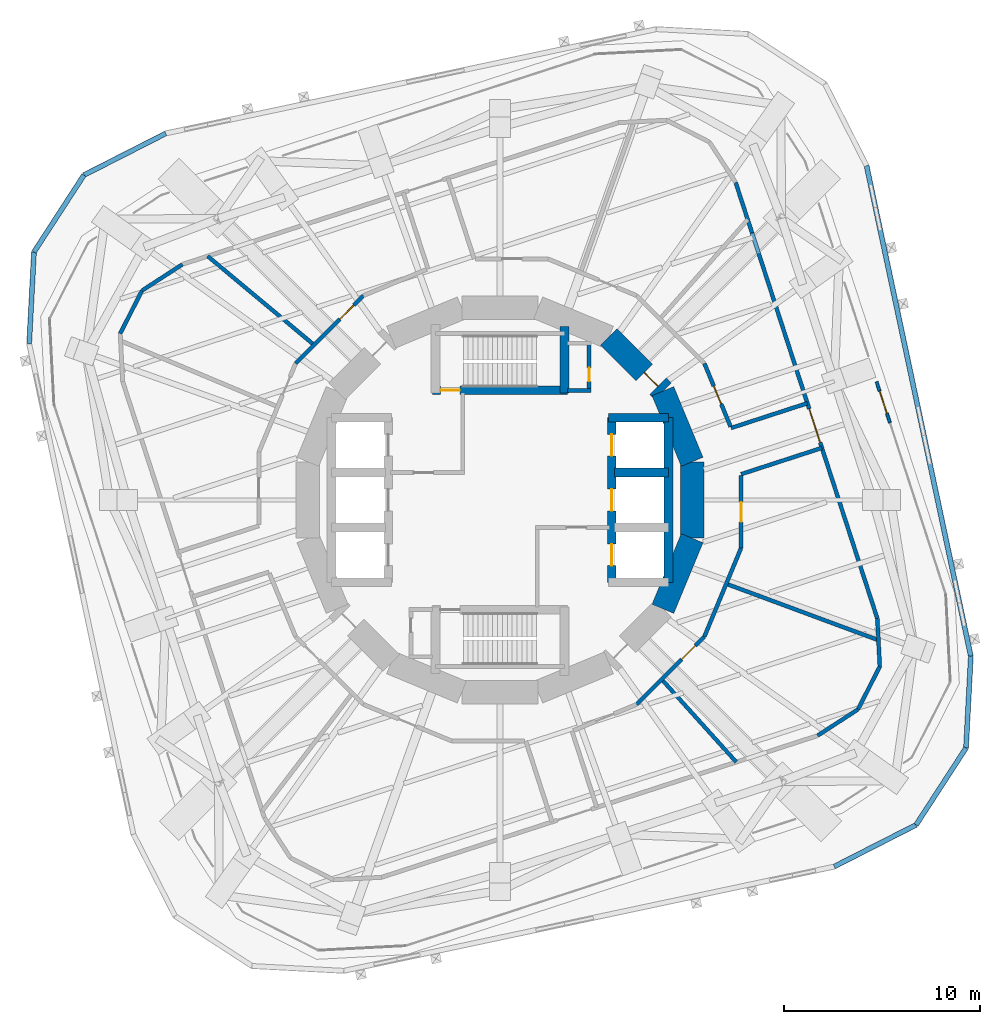
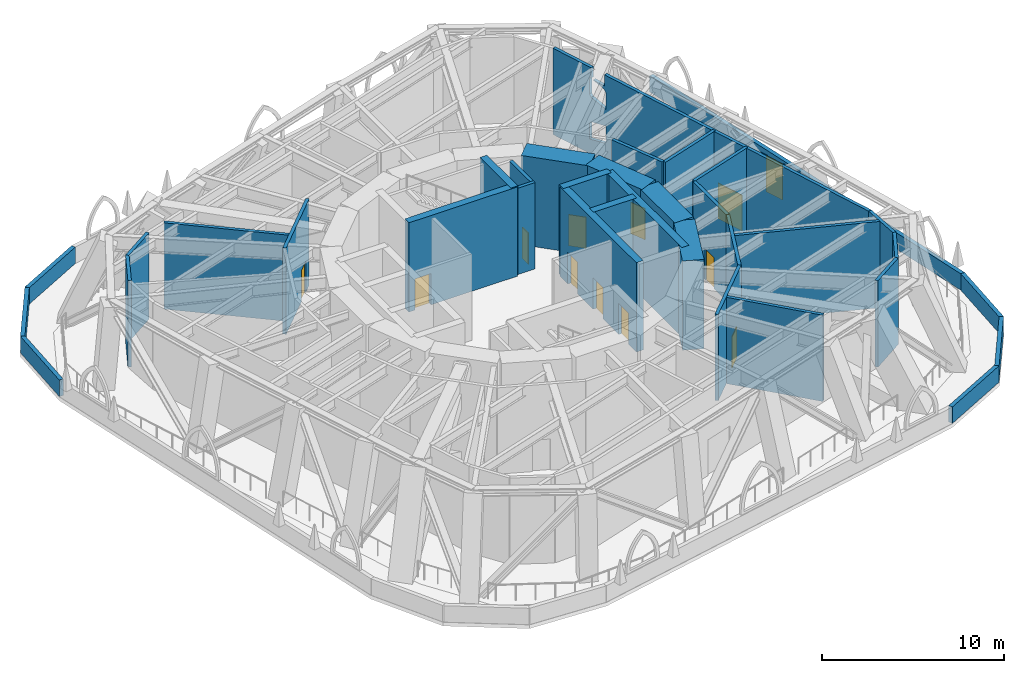
# One storey, part 6 of 11: 36 walls, 12 doors, 15 openings.
"""IFC4 building model written with IfcOpenShell, lengths in metres."""

import ifcopenshell
import ifcopenshell.guid

model = None  # the IFC model being written
_history = None  # IfcOwnerHistory: only IFC2X3 demands one
_inside = {}  # id of a spatial element -> (the spatial element, [elements in it])
_under = {}  # id of a project, library or spatial element -> (it, [spatial elements below it])
_declared = {}  # id of a project -> (the project, [libraries it declares])
_typed = {}  # id of a type object -> (the type object, [elements of that type])
_made_of = {}  # id of a material, layer set ... -> (it, [elements and type objects made of it])


def new_model(schema):
    """Start an empty IFC model of exactly this schema.

    Asked for "IFC4X3", IfcOpenShell would pick the latest addendum, in which some entities
    have other attributes; the version numbers below select the first issue.
    IFC2X3 requires an IfcOwnerHistory on every rooted entity: one is made here for all.
    """
    global model, _history
    if schema == "IFC4X3":
        model = ifcopenshell.file(schema_version=(4, 3, 0, 0))
    else:
        model = ifcopenshell.file(schema=schema)
    _inside.clear()
    _under.clear()
    _declared.clear()
    _typed.clear()
    _made_of.clear()
    _history = None
    if model.schema == "IFC2X3":
        org = make("IfcOrganization", Name="unknown")
        user = make(
            "IfcPersonAndOrganization",
            ThePerson=make("IfcPerson", FamilyName="unknown"),
            TheOrganization=org,
        )
        app = make(
            "IfcApplication",
            ApplicationDeveloper=org,
            Version="unknown",
            ApplicationFullName="unknown",
            ApplicationIdentifier="unknown",
        )
        _history = make(
            "IfcOwnerHistory",
            OwningUser=user,
            OwningApplication=app,
            ChangeAction="ADDED",
            CreationDate=0,
        )
    return model


def make(cls, **values):
    """One entity of the class cls with the attributes given. An attribute that is None is left unset."""
    return model.create_entity(
        cls, **{name: value for name, value in values.items() if value is not None}
    )


def rooted(cls, **values):
    """An entity with a GlobalId (a new one), such as an element, a storey or a relation."""
    return make(cls, GlobalId=ifcopenshell.guid.new(), OwnerHistory=_history, **values)


def si_unit(unit_type, name, prefix=None):
    """IfcSIUnit, for example si_unit("LENGTHUNIT", "METRE", prefix="MILLI")."""
    return make("IfcSIUnit", UnitType=unit_type, Prefix=prefix, Name=name)


def assignment(units):
    """IfcUnitAssignment: the units of a project."""
    return None if units is None else make("IfcUnitAssignment", Units=units)


def point(xyz):
    """IfcCartesianPoint."""
    return None if xyz is None else make("IfcCartesianPoint", Coordinates=xyz)


def direction(xyz):
    """IfcDirection."""
    return None if xyz is None else make("IfcDirection", DirectionRatios=xyz)


def frame(location, z_axis=None, x_axis=None):
    """IfcAxis2Placement3D, a coordinate frame: its origin and axes. An axis left out is left unset."""
    return make(
        "IfcAxis2Placement3D",
        Location=point(location),
        Axis=direction(z_axis),
        RefDirection=direction(x_axis),
    )


def frame_2d(location, x_axis=None):
    """IfcAxis2Placement2D, a coordinate frame in the plane: its origin and x axis."""
    return make(
        "IfcAxis2Placement2D", Location=point(location), RefDirection=direction(x_axis)
    )


def origin():
    """The frame at (0, 0, 0) with its axes left unset."""
    return frame((0.0, 0.0, 0.0))


def place(relative_to, where):
    """IfcLocalPlacement: puts the frame where relative to a parent placement (None: the world)."""
    return make(
        "IfcLocalPlacement", PlacementRelTo=relative_to, RelativePlacement=where
    )


def context(
    kind, dimensions, precision=None, world=None, true_north=None, identifier=None
):
    """IfcGeometricRepresentationContext, for example the 3D "Model" context."""
    return make(
        "IfcGeometricRepresentationContext",
        ContextIdentifier=identifier,
        ContextType=kind,
        CoordinateSpaceDimension=dimensions,
        Precision=precision,
        WorldCoordinateSystem=world,
        TrueNorth=true_north,
    )


def subcontext(parent, identifier, kind, view, scale=None):
    """IfcGeometricRepresentationSubContext, for example "Body" below "Model"."""
    return make(
        "IfcGeometricRepresentationSubContext",
        ContextIdentifier=identifier,
        ContextType=kind,
        ParentContext=parent,
        TargetScale=scale,
        TargetView=view,
    )


def project(units=None, contexts=None):
    """IfcProject with its units and contexts."""
    return rooted(
        "IfcProject",
        Name="project",
        RepresentationContexts=contexts,
        UnitsInContext=assignment(units),
    )


def spatial(cls, under=None, at=None, **own):
    """A site, building, storey or space (cls), placed at a placement, below another one or the project."""
    s = rooted(cls, ObjectPlacement=at, **own)
    if under is not None:
        _under.setdefault(under.id(), (under, []))[1].append(s)
    return s


def polyline(points):
    """IfcPolyline through the points."""
    return make("IfcPolyline", Points=[point(p) for p in points])


def profile(cls, at=None, kind="AREA", **sizes):
    """A parametric profile (cls). Its sizes go by their IFC names, for example OverallWidth=200.0."""
    return make(cls, ProfileType=kind, Position=at, **sizes)


def rectangle(**sizes):
    """IfcRectangleProfileDef."""
    return profile("IfcRectangleProfileDef", **sizes)


def outline(outer, holes=None, kind="AREA"):
    """IfcArbitraryClosedProfileDef: a profile drawn as a closed curve; with holes, ...WithVoids."""
    if holes is None:
        return make("IfcArbitraryClosedProfileDef", ProfileType=kind, OuterCurve=outer)
    return make(
        "IfcArbitraryProfileDefWithVoids",
        ProfileType=kind,
        OuterCurve=outer,
        InnerCurves=holes,
    )


def extrude(swept, where, along, depth):
    """IfcExtrudedAreaSolid: the profile swept, set in the frame where, extruded along a direction by depth."""
    return make(
        "IfcExtrudedAreaSolid",
        SweptArea=swept,
        Position=where,
        ExtrudedDirection=direction(along),
        Depth=depth,
    )


def shape(context_of_items, identifier, shape_type, items):
    """IfcShapeRepresentation: the items that make up one representation, for example the "Body"."""
    return make(
        "IfcShapeRepresentation",
        ContextOfItems=context_of_items,
        RepresentationIdentifier=identifier,
        RepresentationType=shape_type,
        Items=items,
    )


def material(Name=None, Category=None):
    """IfcMaterial."""
    return make("IfcMaterial", Name=Name, Category=Category)


def layer(
    of_material, thickness, ventilated=None, Name=None, Category=None, Priority=None
):
    """IfcMaterialLayer: one layer of a wall or slab, of a material (None: an air gap)."""
    return make(
        "IfcMaterialLayer",
        Material=of_material,
        LayerThickness=thickness,
        IsVentilated=ventilated,
        Name=Name,
        Category=Category,
        Priority=Priority,
    )


def layer_set(layers, Name=None):
    """IfcMaterialLayerSet."""
    return make("IfcMaterialLayerSet", MaterialLayers=layers, LayerSetName=Name)


def made_of(thing, what):
    """Note that an element or type object is made of a material, layer set ...; save() writes the relation."""
    if what is not None:
        _made_of.setdefault(what.id(), (what, []))[1].append(thing)
    return thing


def type_object(cls, material=None, **own):
    """A type object (cls), such as IfcWallType, which elements share."""
    return made_of(rooted(cls, **own), material)


def element(
    cls,
    number,
    at=None,
    inside=None,
    cuts=None,
    type_object=None,
    material=None,
    context=None,
    identifier="Body",
    shape_type=None,
    held_by="IfcProductDefinitionShape",
    body=None,
    shapes=None,
    **own,
):
    """One element of the class cls, such as IfcWall. Its Tag is "e" and its number.

    at: its placement. inside: the storey or other place that contains it. cuts: it is an
    opening in that element (IfcRelVoidsElement). A single representation is given by context,
    identifier, shape_type and body (its items); several are given by shapes. held_by: the class
    of the entity that holds the representations. save() writes the other relations.
    """
    e = rooted(cls, Tag="e%d" % number, ObjectPlacement=at, **own)
    if body is not None:
        shapes = [shape(context, identifier, shape_type, body)]
    if shapes is not None:
        e.Representation = make(held_by, Representations=shapes)
    if inside is not None:
        _inside.setdefault(inside.id(), (inside, []))[1].append(e)
    if cuts is not None:
        rooted(
            "IfcRelVoidsElement", RelatingBuildingElement=cuts, RelatedOpeningElement=e
        )
    if type_object is not None:
        _typed.setdefault(type_object.id(), (type_object, []))[1].append(e)
    return made_of(e, material)


def fill(opening, filler):
    """IfcRelFillsElement: the door or window that sits in an opening."""
    return rooted(
        "IfcRelFillsElement",
        RelatingOpeningElement=opening,
        RelatedBuildingElement=filler,
    )


def aggregate(whole, parts):
    """IfcRelAggregates: a whole, such as a stair, and the parts it consists of."""
    return rooted("IfcRelAggregates", RelatingObject=whole, RelatedObjects=parts)


def save(model, path):
    """Write the relations noted so far, then the file.

    IfcRelAggregates (storeys below a building ...), IfcRelContainedInSpatialStructure (elements
    in a storey), IfcRelDefinesByType, IfcRelAssociatesMaterial and IfcRelDeclares: one each for
    every whole, place, type object, material and project.
    """
    for whole, parts in _under.values():
        aggregate(whole, parts)
    for where, things in _inside.values():
        rooted(
            "IfcRelContainedInSpatialStructure",
            RelatedElements=things,
            RelatingStructure=where,
        )
    for kind, things in _typed.values():
        rooted("IfcRelDefinesByType", RelatedObjects=things, RelatingType=kind)
    for what, things in _made_of.values():
        rooted("IfcRelAssociatesMaterial", RelatedObjects=things, RelatingMaterial=what)
    for by, libraries in _declared.values():
        rooted("IfcRelDeclares", RelatingContext=by, RelatedDefinitions=libraries)
    model.write(path)


model = new_model("IFC4")

# Units and contexts
model_context = context("Model", 3, precision=1e-05, world=origin(), true_north=direction((0.0, 1.0)))
body_context = subcontext(model_context, "Body", "Model", "MODEL_VIEW")
ifc_project = project(units=[si_unit("LENGTHUNIT", "METRE"), si_unit("AREAUNIT", "SQUARE_METRE"), si_unit("VOLUMEUNIT", "CUBIC_METRE"), si_unit("PLANEANGLEUNIT", "RADIAN"), si_unit("MASSUNIT", "GRAM", prefix="KILO")], contexts=[model_context])

# Site, building, storey
site_placement = place(None, origin())
site = spatial("IfcSite", under=ifc_project, at=site_placement, CompositionType="ELEMENT")
building_placement = place(site_placement, origin())
building = spatial("IfcBuilding", under=site, at=building_placement, Name="Nakasero Lantern House", CompositionType="ELEMENT")
storey_placement = place(building_placement, frame((0.0, 0.0, 135.800048828125)))
storey = spatial("IfcBuildingStorey", under=building, at=storey_placement, Name="L33", CompositionType="ELEMENT", Elevation=135.800048828125)

# Wall, openings, doors
ifc_material_1 = material(Name="Concrete C50/60", Category="concrete")
ifc_layer_1 = layer(ifc_material_1, 0.449951171875)
ifc_layer_set_1 = layer_set([ifc_layer_1], Name="Core inner wall 450")
wall_type_1 = type_object("IfcWallType", Name="Core inner wall 450", PredefinedType="SHEAR", material=ifc_layer_set_1)
wall_1_placement = place(storey_placement, frame((5.699951171875, -4.199951171875, 0.0), z_axis=(0.0, 0.0, 1.0), x_axis=(0.0, 1.0, 0.0)))
wall_1 = element("IfcWall", 1, at=wall_1_placement, inside=storey, type_object=wall_type_1, Name="Core inner wall L33 LE", PredefinedType="SHEAR", context=body_context, shape_type="SweptSolid", body=[
    extrude(rectangle(XDim=8.39990234375, YDim=0.449951171875, at=frame_2d((4.199951171875, 0.0))), origin(), (0.0, 0.0, 1.0), 6.0),
])
opening_1_placement = place(wall_1_placement, frame((0.85009765625, 0.0, 0.0)))
opening_1 = element("IfcOpeningElement", 2, at=opening_1_placement, cuts=wall_1, Name="Opening LD", PredefinedType="OPENING", context=body_context, shape_type="SweptSolid", body=[
    extrude(rectangle(XDim=1.10009765625, YDim=2.10009765625, at=frame_2d((0.550048828125, 1.050048828125))), frame((0.0, 0.244873046875, 0.0), z_axis=(0.0, -1.0, 0.0), x_axis=(1.0, 0.0, 0.0)), (0.0, 0.0, 1.0), 0.489990234375),
])
opening_2_placement = place(wall_1_placement, frame((3.64990234375, 0.0, 0.0)))
opening_2 = element("IfcOpeningElement", 3, at=opening_2_placement, cuts=wall_1, Name="Opening LD", PredefinedType="OPENING", context=body_context, shape_type="SweptSolid", body=[
    extrude(rectangle(XDim=1.10009765625, YDim=2.10009765625, at=frame_2d((0.550048828125, 1.050048828125))), frame((0.0, 0.244873046875, 0.0), z_axis=(0.0, -1.0, 0.0), x_axis=(1.0, 0.0, 0.0)), (0.0, 0.0, 1.0), 0.489990234375),
])
opening_3_placement = place(wall_1_placement, frame((6.449951171875, 0.0, 0.0)))
opening_3 = element("IfcOpeningElement", 4, at=opening_3_placement, cuts=wall_1, Name="Opening LD", PredefinedType="OPENING", context=body_context, shape_type="SweptSolid", body=[
    extrude(rectangle(XDim=1.10009765625, YDim=2.10009765625, at=frame_2d((0.550048828125, 1.050048828125))), frame((0.0, 0.244873046875, 0.0), z_axis=(0.0, -1.0, 0.0), x_axis=(1.0, 0.0, 0.0)), (0.0, 0.0, 1.0), 0.489990234375),
])
ifc_material_2 = material(Name="Steel S355", Category="steel")
door_type_1 = type_object("IfcDoorType", Name="Lift landing door E120 1100", OperationType="SLIDING_TO_LEFT", PredefinedType="DOOR", material=ifc_material_2)
door_1_placement = place(opening_1_placement, origin())
door_1 = element("IfcDoor", 5, at=door_1_placement, inside=storey, type_object=door_type_1, Name="Lift landing door LE1", OperationType="SLIDING_TO_LEFT", OverallHeight=2.10009765625, OverallWidth=1.10009765625, PredefinedType="DOOR", context=body_context, shape_type="SweptSolid", body=[
    extrude(rectangle(XDim=1.10009765625, YDim=2.10009765625, at=frame_2d((0.550048828125, 1.050048828125))), frame((0.0, 0.02490234375, 0.0), z_axis=(0.0, -1.0, 0.0), x_axis=(1.0, 0.0, 0.0)), (0.0, 0.0, 1.0), 0.050048828125),
])
fill(opening_1, door_1)
door_2_placement = place(opening_2_placement, origin())
door_2 = element("IfcDoor", 6, at=door_2_placement, inside=storey, type_object=door_type_1, Name="Lift landing door LE2", OperationType="SLIDING_TO_LEFT", OverallHeight=2.10009765625, OverallWidth=1.10009765625, PredefinedType="DOOR", context=body_context, shape_type="SweptSolid", body=[
    extrude(rectangle(XDim=1.10009765625, YDim=2.10009765625, at=frame_2d((0.550048828125, 1.050048828125))), frame((0.0, 0.02490234375, 0.0), z_axis=(0.0, -1.0, 0.0), x_axis=(1.0, 0.0, 0.0)), (0.0, 0.0, 1.0), 0.050048828125),
])
fill(opening_2, door_2)
door_3_placement = place(opening_3_placement, origin())
door_3 = element("IfcDoor", 7, at=door_3_placement, inside=storey, type_object=door_type_1, Name="Lift landing door LE3", OperationType="SLIDING_TO_LEFT", OverallHeight=2.10009765625, OverallWidth=1.10009765625, PredefinedType="DOOR", context=body_context, shape_type="SweptSolid", body=[
    extrude(rectangle(XDim=1.10009765625, YDim=2.10009765625, at=frame_2d((0.550048828125, 1.050048828125))), frame((0.0, 0.02490234375, 0.0), z_axis=(0.0, -1.0, 0.0), x_axis=(1.0, 0.0, 0.0)), (0.0, 0.0, 1.0), 0.050048828125),
])
fill(opening_3, door_3)

# Walls
wall_2_placement = place(storey_placement, frame((5.550048828125, 4.199951171875, 0.0), z_axis=(0.0, 0.0, 1.0), x_axis=(1.0, 0.0, 0.0)))
element("IfcWall", 8, at=wall_2_placement, inside=storey, type_object=wall_type_1, Name="Core inner wall L33 LEN", PredefinedType="SHEAR", context=body_context, shape_type="SweptSolid", body=[
    extrude(rectangle(XDim=3.050048828125, YDim=0.449951171875, at=frame_2d((1.52490234375, 0.0))), origin(), (0.0, 0.0, 1.0), 6.0),
])
wall_3_placement = place(storey_placement, frame((8.60009765625, -4.199951171875, 0.0), z_axis=(0.0, 0.0, 1.0), x_axis=(0.0, 1.0, 0.0)))
element("IfcWall", 9, at=wall_3_placement, inside=storey, type_object=wall_type_1, Name="Core inner wall L33 LEB", PredefinedType="SHEAR", context=body_context, shape_type="SweptSolid", body=[
    extrude(rectangle(XDim=8.39990234375, YDim=0.449951171875, at=frame_2d((4.199951171875, 0.0))), origin(), (0.0, 0.0, 1.0), 6.0),
])
wall_4_placement = place(storey_placement, frame((5.85009765625, 1.39990234375, 0.0), z_axis=(0.0, 0.0, 1.0), x_axis=(1.0, 0.0, 0.0)))
element("IfcWall", 10, at=wall_4_placement, inside=storey, type_object=wall_type_1, Name="Core inner wall L33 LE2", PredefinedType="SHEAR", context=body_context, shape_type="SweptSolid", body=[
    extrude(rectangle(XDim=2.75, YDim=0.449951171875, at=frame_2d((1.375, 0.0))), origin(), (0.0, 0.0, 1.0), 6.0),
])

# Wall, opening, door
wall_5_placement = place(storey_placement, frame((-3.449951171875, 5.60009765625, 0.0), z_axis=(0.0, 0.0, 1.0), x_axis=(1.0, 0.0, 0.0)))
wall_5 = element("IfcWall", 11, at=wall_5_placement, inside=storey, type_object=wall_type_1, Name="Core inner wall L33 SN", PredefinedType="SHEAR", context=body_context, shape_type="SweptSolid", body=[
    extrude(rectangle(XDim=6.89990234375, YDim=0.449951171875, at=frame_2d((3.449951171875, 0.0))), origin(), (0.0, 0.0, 1.0), 6.0),
])
opening_4_placement = place(wall_5_placement, frame((0.39990234375, 0.0, 0.0)))
opening_4 = element("IfcOpeningElement", 12, at=opening_4_placement, cuts=wall_5, Name="Opening D05", PredefinedType="OPENING", context=body_context, shape_type="SweptSolid", body=[
    extrude(rectangle(XDim=1.0, YDim=2.10009765625, at=frame_2d((0.5, 1.050048828125))), frame((0.0, 0.244873046875, 0.0), z_axis=(0.0, -1.0, 0.0), x_axis=(1.0, 0.0, 0.0)), (0.0, 0.0, 1.0), 0.489990234375),
])
ifc_material_3 = material(Name="Timber C24", Category="wood")
door_type_2 = type_object("IfcDoorType", Name="Core door FD60S 1000", OperationType="SINGLE_SWING_LEFT", PredefinedType="DOOR", material=ifc_material_3)
door_4_placement = place(opening_4_placement, origin())
door_4 = element("IfcDoor", 13, at=door_4_placement, inside=storey, type_object=door_type_2, Name="Door L33 D-ST1", OperationType="SINGLE_SWING_LEFT", OverallHeight=2.10009765625, OverallWidth=1.0, PredefinedType="DOOR", context=body_context, shape_type="SweptSolid", body=[
    extrude(rectangle(XDim=1.0, YDim=2.10009765625, at=frame_2d((0.5, 1.050048828125))), frame((0.0, 0.02490234375, 0.0), z_axis=(0.0, -1.0, 0.0), x_axis=(1.0, 0.0, 0.0)), (0.0, 0.0, 1.0), 0.050048828125),
])
fill(opening_4, door_4)

# Walls
wall_6_placement = place(storey_placement, frame((3.300048828125, 5.449951171875, 0.0), z_axis=(0.0, 0.0, 1.0), x_axis=(0.0, 1.0, 0.0)))
element("IfcWall", 14, at=wall_6_placement, inside=storey, type_object=wall_type_1, Name="Core inner wall L33 SNE", PredefinedType="SHEAR", context=body_context, shape_type="SweptSolid", body=[
    extrude(rectangle(XDim=3.400146484375, YDim=0.449951171875, at=frame_2d((1.7001953125, 0.0))), origin(), (0.0, 0.0, 1.0), 6.0),
])
ifc_material_4 = material(Name="Concrete C50/60", Category="concrete")
ifc_layer_2 = layer(ifc_material_4, 1.199951171875)
ifc_layer_set_2 = layer_set([ifc_layer_2], Name="Core wall 1200")
wall_type_2 = type_object("IfcWallType", Name="Core wall 1200", PredefinedType="SHEAR", material=ifc_layer_set_2)
wall_7_placement = place(storey_placement, frame((9.807861328125, 1.950927734375, 0.0), z_axis=(0.0, 0.0, 1.0), x_axis=(-0.382690736062, 0.923876507187, 0.0)))
element("IfcWall", 15, at=wall_7_placement, inside=storey, type_object=wall_type_2, Name="Core wall L33 facet 1", PredefinedType="SHEAR", context=body_context, shape_type="SweptSolid", body=[
    extrude(rectangle(XDim=3.90185546875, YDim=1.199951171875, at=frame_2d((1.950927734375, 0.0))), origin(), (0.0, 0.0, 1.0), 6.0),
])

# Wall, opening, door
wall_8_placement = place(storey_placement, frame((8.314697265625, 5.5556640625, 0.0), z_axis=(0.0, 0.0, 1.0), x_axis=(-0.707106781187, 0.707106781187, 0.0)))
wall_8 = element("IfcWall", 16, at=wall_8_placement, inside=storey, type_object=wall_type_2, Name="Core wall L33 facet 2", PredefinedType="SHEAR", context=body_context, shape_type="SweptSolid", body=[
    extrude(rectangle(XDim=3.90185546875, YDim=1.199951171875, at=frame_2d((1.950927734375, 0.0))), origin(), (0.0, 0.0, 1.0), 6.0),
])
opening_5_placement = place(wall_8_placement, frame((0.35009765625, 0.0, 0.0)))
opening_5 = element("IfcOpeningElement", 17, at=opening_5_placement, cuts=wall_8, Name="Opening D05", PredefinedType="OPENING", context=body_context, shape_type="SweptSolid", body=[
    extrude(rectangle(XDim=1.0, YDim=2.10009765625, at=frame_2d((0.5, 1.050048828125))), frame((0.0, 0.619873046875, 0.0), z_axis=(0.0, -1.0, 0.0), x_axis=(1.0, 0.0, 0.0)), (0.0, 0.0, 1.0), 1.239990234375),
])
door_5_placement = place(opening_5_placement, origin())
door_5 = element("IfcDoor", 18, at=door_5_placement, inside=storey, type_object=door_type_2, Name="Door L33 D-CORE02", OperationType="SINGLE_SWING_LEFT", OverallHeight=2.10009765625, OverallWidth=1.0, PredefinedType="DOOR", context=body_context, shape_type="SweptSolid", body=[
    extrude(rectangle(XDim=1.0, YDim=2.10009765625, at=frame_2d((0.5, 1.050048828125))), frame((0.0, 0.02490234375, 0.0), z_axis=(0.0, -1.0, 0.0), x_axis=(1.0, 0.0, 0.0)), (0.0, 0.0, 1.0), 0.050048828125),
])
fill(opening_5, door_5)

# Walls
for number, where, z_axis, x_axis, name in (
    (19, (8.314697265625, -5.5556640625, 0.0), (0.0, 0.0, 1.0), (0.382690736062, 0.923876507187, 0.0), "Core wall L33 facet 15"),
    (20, (9.807861328125, -1.950927734375, 0.0), (0.0, 0.0, 1.0), (0.0, 1.0, 0.0), "Core wall L33 facet 16"),
):
    element("IfcWall", number, at=place(storey_placement, frame(where, z_axis=z_axis, x_axis=x_axis)), inside=storey, type_object=wall_type_2, Name=name, PredefinedType="SHEAR", context=body_context, shape_type="SweptSolid", body=[
        extrude(rectangle(XDim=3.90185546875, YDim=1.199951171875, at=frame_2d((1.950927734375, 0.0))), origin(), (0.0, 0.0, 1.0), 6.0),
    ])

# Wall, opening, door
ifc_material_5 = material(Name="Blockwork", Category="masonry")
ifc_layer_3 = layer(ifc_material_5, 0.199951171875)
ifc_layer_set_3 = layer_set([ifc_layer_3], Name="Corridor wall 200")
wall_type_3 = type_object("IfcWallType", Name="Corridor wall 200", PredefinedType="PARTITIONING", material=ifc_layer_set_3)
wall_9_placement = place(storey_placement, frame((12.307861328125, 1.239013671875, 0.0), z_axis=(0.0, 0.0, 1.0), x_axis=(0.0, -1.0, 0.0)))
wall_9 = element("IfcWall", 21, at=wall_9_placement, inside=storey, type_object=wall_type_3, Name="Corridor wall L33 TC00", PredefinedType="PARTITIONING", context=body_context, shape_type="SweptSolid", body=[
    extrude(rectangle(XDim=3.687255859375, YDim=0.199951171875, at=frame_2d((1.84375, 0.0))), origin(), (0.0, 0.0, 1.0), 5.800048828125),
])
opening_6_placement = place(wall_9_placement, frame((1.35009765625, 0.0, 0.0)))
opening_6 = element("IfcOpeningElement", 22, at=opening_6_placement, cuts=wall_9, Name="Opening D13", PredefinedType="OPENING", context=body_context, shape_type="SweptSolid", body=[
    extrude(rectangle(XDim=1.0, YDim=2.10009765625, at=frame_2d((0.5, 1.050048828125))), frame((0.0, 0.119873046875, 0.0), z_axis=(0.0, -1.0, 0.0), x_axis=(1.0, 0.0, 0.0)), (0.0, 0.0, 1.0), 0.239990234375),
])
ifc_material_6 = material(Name="Steel S355", Category="steel")
door_type_3 = type_object("IfcDoorType", Name="Plant room door FD60 1000", OperationType="SINGLE_SWING_LEFT", PredefinedType="DOOR", material=ifc_material_6)
door_6_placement = place(opening_6_placement, origin())
door_6 = element("IfcDoor", 23, at=door_6_placement, inside=storey, type_object=door_type_3, Name="Door L33 TDR32", OperationType="SINGLE_SWING_RIGHT", OverallHeight=2.10009765625, OverallWidth=1.0, PredefinedType="DOOR", context=body_context, shape_type="SweptSolid", body=[
    extrude(rectangle(XDim=1.0, YDim=2.10009765625, at=frame_2d((0.5, 1.050048828125))), frame((0.0, 0.02490234375, 0.0), z_axis=(0.0, -1.0, 0.0), x_axis=(1.0, 0.0, 0.0)), (0.0, 0.0, 1.0), 0.050048828125),
])
fill(opening_6, door_6)

# Wall
wall_10_placement = place(storey_placement, frame((12.307861328125, -2.4482421875, 0.0), z_axis=(0.0, 0.0, 1.0), x_axis=(-0.382685002919, -0.923878881965, 0.0)))
element("IfcWall", 24, at=wall_10_placement, inside=storey, type_object=wall_type_3, Name="Corridor wall L33 TC01", PredefinedType="PARTITIONING", context=body_context, shape_type="SweptSolid", body=[
    extrude(rectangle(XDim=4.896484375, YDim=0.199951171875, at=frame_2d((2.4482421875, 0.0))), origin(), (0.0, 0.0, 1.0), 5.800048828125),
])

# Wall, opening, door
wall_11_placement = place(storey_placement, frame((10.43408203125, -6.971923828125, 0.0), z_axis=(0.0, 0.0, 1.0), x_axis=(-0.707106781187, -0.707106781187, 0.0)))
wall_11 = element("IfcWall", 25, at=wall_11_placement, inside=storey, type_object=wall_type_3, Name="Corridor wall L33 TC02", PredefinedType="PARTITIONING", context=body_context, shape_type="SweptSolid", body=[
    extrude(rectangle(XDim=4.896240234375, YDim=0.199951171875, at=frame_2d((2.4482421875, 0.0))), origin(), (0.0, 0.0, 1.0), 5.800048828125),
])
opening_7_placement = place(wall_11_placement, frame((0.64990234375, 0.0, 0.0)))
opening_7 = element("IfcOpeningElement", 26, at=opening_7_placement, cuts=wall_11, Name="Opening D13", PredefinedType="OPENING", context=body_context, shape_type="SweptSolid", body=[
    extrude(rectangle(XDim=1.0, YDim=2.10009765625, at=frame_2d((0.5, 1.050048828125))), frame((0.0, 0.119873046875, 0.0), z_axis=(0.0, -1.0, 0.0), x_axis=(1.0, 0.0, 0.0)), (0.0, 0.0, 1.0), 0.239990234375),
])
door_7_placement = place(opening_7_placement, origin())
door_7 = element("IfcDoor", 27, at=door_7_placement, inside=storey, type_object=door_type_3, Name="Door L33 TDR31", OperationType="SINGLE_SWING_LEFT", OverallHeight=2.10009765625, OverallWidth=1.0, PredefinedType="DOOR", context=body_context, shape_type="SweptSolid", body=[
    extrude(rectangle(XDim=1.0, YDim=2.10009765625, at=frame_2d((0.5, 1.050048828125))), frame((0.0, 0.02490234375, 0.0), z_axis=(0.0, -1.0, 0.0), x_axis=(1.0, 0.0, 0.0)), (0.0, 0.0, 1.0), 0.050048828125),
])
fill(opening_7, door_7)

wall_12_placement = place(storey_placement, frame((-10.43408203125, 6.971923828125, 0.0), z_axis=(0.0, 0.0, 1.0), x_axis=(0.707106781187, 0.707106781187, 0.0)))
wall_12 = element("IfcWall", 28, at=wall_12_placement, inside=storey, type_object=wall_type_3, Name="Corridor wall L33 TC10", PredefinedType="PARTITIONING", context=body_context, shape_type="SweptSolid", body=[
    extrude(rectangle(XDim=4.896240234375, YDim=0.199951171875, at=frame_2d((2.4482421875, 0.0))), origin(), (0.0, 0.0, 1.0), 5.800048828125),
])
opening_8_placement = place(wall_12_placement, frame((3.199951171875, 0.0, 0.0)))
opening_8 = element("IfcOpeningElement", 29, at=opening_8_placement, cuts=wall_12, Name="Opening D13", PredefinedType="OPENING", context=body_context, shape_type="SweptSolid", body=[
    extrude(rectangle(XDim=1.0, YDim=2.10009765625, at=frame_2d((0.5, 1.050048828125))), frame((0.0, 0.119873046875, 0.0), z_axis=(0.0, -1.0, 0.0), x_axis=(1.0, 0.0, 0.0)), (0.0, 0.0, 1.0), 0.239990234375),
])
door_8_placement = place(opening_8_placement, origin())
door_8 = element("IfcDoor", 30, at=door_8_placement, inside=storey, type_object=door_type_3, Name="Door L33 TDR10", OperationType="SINGLE_SWING_RIGHT", OverallHeight=2.10009765625, OverallWidth=1.0, PredefinedType="DOOR", context=body_context, shape_type="SweptSolid", body=[
    extrude(rectangle(XDim=1.0, YDim=2.10009765625, at=frame_2d((0.5, 1.050048828125))), frame((0.0, 0.02490234375, 0.0), z_axis=(0.0, -1.0, 0.0), x_axis=(1.0, 0.0, 0.0)), (0.0, 0.0, 1.0), 0.050048828125),
])
fill(opening_8, door_8)

wall_13_placement = place(storey_placement, frame((10.43408203125, 6.971923828125, 0.0), z_axis=(0.0, 0.0, 1.0), x_axis=(0.382693443853, -0.923875385554, 0.0)))
wall_13 = element("IfcWall", 31, at=wall_13_placement, inside=storey, type_object=wall_type_3, Name="Corridor wall L33 TC15", PredefinedType="PARTITIONING", context=body_context, shape_type="SweptSolid", body=[
    extrude(rectangle(XDim=3.4921875, YDim=0.199951171875, at=frame_2d((1.74609375, 0.0))), origin(), (0.0, 0.0, 1.0), 5.800048828125),
])
opening_9_placement = place(wall_13_placement, frame((1.25, 0.0, 0.0)))
opening_9 = element("IfcOpeningElement", 32, at=opening_9_placement, cuts=wall_13, Name="Opening D13", PredefinedType="OPENING", context=body_context, shape_type="SweptSolid", body=[
    extrude(rectangle(XDim=1.0, YDim=2.10009765625, at=frame_2d((0.5, 1.050048828125))), frame((0.0, 0.119873046875, 0.0), z_axis=(0.0, -1.0, 0.0), x_axis=(1.0, 0.0, 0.0)), (0.0, 0.0, 1.0), 0.239990234375),
])
door_9_placement = place(opening_9_placement, origin())
door_9 = element("IfcDoor", 33, at=door_9_placement, inside=storey, type_object=door_type_3, Name="Door L33 TDR00", OperationType="SINGLE_SWING_RIGHT", OverallHeight=2.10009765625, OverallWidth=1.0, PredefinedType="DOOR", context=body_context, shape_type="SweptSolid", body=[
    extrude(rectangle(XDim=1.0, YDim=2.10009765625, at=frame_2d((0.5, 1.050048828125))), frame((0.0, 0.02490234375, 0.0), z_axis=(0.0, -1.0, 0.0), x_axis=(1.0, 0.0, 0.0)), (0.0, 0.0, 1.0), 0.050048828125),
])
fill(opening_9, door_9)

ifc_material_7 = material(Name="Blockwork", Category="masonry")
ifc_layer_4 = layer(ifc_material_7, 0.199951171875)
ifc_layer_set_4 = layer_set([ifc_layer_4], Name="Fire lobby wall 200")
wall_type_4 = type_object("IfcWallType", Name="Fire lobby wall 200", PredefinedType="PARTITIONING", material=ifc_layer_set_4)
wall_14_placement = place(storey_placement, frame((4.550048828125, 5.60009765625, 0.0), z_axis=(0.0, 0.0, 1.0), x_axis=(0.0, 1.0, 0.0)))
wall_14 = element("IfcWall", 34, at=wall_14_placement, inside=storey, type_object=wall_type_4, Name="Fire lobby wall L33 W-RS1E", PredefinedType="PARTITIONING", context=body_context, shape_type="SweptSolid", body=[
    extrude(rectangle(XDim=2.39990234375, YDim=0.199951171875, at=frame_2d((1.199951171875, 0.0))), origin(), (0.0, 0.0, 1.0), 5.800048828125),
])
opening_10_placement = place(wall_14_placement, frame((0.449951171875, 0.0, 0.0)))
opening_10 = element("IfcOpeningElement", 35, at=opening_10_placement, cuts=wall_14, Name="Opening D06", PredefinedType="OPENING", context=body_context, shape_type="SweptSolid", body=[
    extrude(rectangle(XDim=0.699951171875, YDim=2.10009765625, at=frame_2d((0.35009765625, 1.050048828125))), frame((0.0, 0.119873046875, 0.0), z_axis=(0.0, -1.0, 0.0), x_axis=(1.0, 0.0, 0.0)), (0.0, 0.0, 1.0), 0.239990234375),
])
ifc_material_8 = material(Name="Steel S355", Category="steel")
door_type_4 = type_object("IfcDoorType", Name="Riser door FD60 700", OperationType="SINGLE_SWING_LEFT", PredefinedType="DOOR", material=ifc_material_8)
door_10_placement = place(opening_10_placement, origin())
door_10 = element("IfcDoor", 36, at=door_10_placement, inside=storey, type_object=door_type_4, Name="Door L33 D-RS1", OperationType="SINGLE_SWING_LEFT", OverallHeight=2.10009765625, OverallWidth=0.699951171875, PredefinedType="DOOR", context=body_context, shape_type="SweptSolid", body=[
    extrude(rectangle(XDim=0.699951171875, YDim=2.10009765625, at=frame_2d((0.35009765625, 1.050048828125))), frame((0.0, 0.02490234375, 0.0), z_axis=(0.0, -1.0, 0.0), x_axis=(1.0, 0.0, 0.0)), (0.0, 0.0, 1.0), 0.050048828125),
])
fill(opening_10, door_10)

# Walls
wall_15_placement = place(storey_placement, frame((3.449951171875, 5.60009765625, 0.0), z_axis=(0.0, 0.0, 1.0), x_axis=(1.0, 0.0, 0.0)))
element("IfcWall", 37, at=wall_15_placement, inside=storey, type_object=wall_type_4, Name="Fire lobby wall L33 W-RS1S", PredefinedType="PARTITIONING", context=body_context, shape_type="SweptSolid", body=[
    extrude(rectangle(XDim=1.199951171875, YDim=0.199951171875, at=frame_2d((0.60009765625, 0.0))), origin(), (0.0, 0.0, 1.0), 5.800048828125),
])
wall_16_placement = place(storey_placement, frame((-9.48974609375, 7.916015625, 0.0), z_axis=(0.0, 0.0, 1.0), x_axis=(-0.767901562638, 0.640567865333, 0.0)))
element("IfcWall", 38, at=wall_16_placement, inside=storey, type_object=wall_type_4, Name="Fire lobby wall L33 TD10", PredefinedType="PARTITIONING", context=body_context, shape_type="SweptSolid", body=[
    extrude(rectangle(XDim=7.074951171875, YDim=0.199951171875, at=frame_2d((3.53759765625, 0.0))), origin(), (0.0, 0.0, 1.0), 5.800048828125),
])
wall_17_placement = place(storey_placement, frame((8.252685546875, -9.1533203125, 0.0), z_axis=(0.0, 0.0, 1.0), x_axis=(0.669656916472, -0.742670596039, 0.0)))
element("IfcWall", 39, at=wall_17_placement, inside=storey, type_object=wall_type_4, Name="Fire lobby wall L33 TD30", PredefinedType="PARTITIONING", context=body_context, shape_type="SweptSolid", body=[
    extrude(rectangle(XDim=5.687744140625, YDim=0.199951171875, at=frame_2d((2.84375, 0.0))), origin(), (0.0, 0.0, 1.0), 5.800048828125),
])
wall_18_placement = place(storey_placement, frame((11.5498046875, -4.278564453125, 0.0), z_axis=(0.0, 0.0, 1.0), x_axis=(0.937725297331, -0.347377700416, 0.0)))
element("IfcWall", 40, at=wall_18_placement, inside=storey, type_object=wall_type_4, Name="Fire lobby wall L33 TD31", PredefinedType="PARTITIONING", context=body_context, shape_type="SweptSolid", body=[
    extrude(rectangle(XDim=8.28466796875, YDim=0.199951171875, at=frame_2d((4.142333984375, 0.0))), origin(), (0.0, 0.0, 1.0), 5.800048828125),
])
wall_19_placement = place(storey_placement, frame((11.79931640625, 3.676025390625, 0.0), z_axis=(0.0, 0.0, 1.0), x_axis=(0.951048535958, 0.309041554248, 0.0)))
element("IfcWall", 41, at=wall_19_placement, inside=storey, type_object=wall_type_4, Name="Fire lobby wall L33 TP0L", PredefinedType="PARTITIONING", context=body_context, shape_type="SweptSolid", body=[
    extrude(rectangle(XDim=4.092041015625, YDim=0.199951171875, at=frame_2d((2.0458984375, 0.0))), origin(), (0.0, 0.0, 1.0), 5.800048828125),
])
wall_20_placement = place(storey_placement, frame((12.307861328125, 1.31787109375, 0.0), z_axis=(0.0, 0.0, 1.0), x_axis=(0.951053922139, 0.309024978252, 0.0)))
element("IfcWall", 42, at=wall_20_placement, inside=storey, type_object=wall_type_4, Name="Fire lobby wall L33 TP0R", PredefinedType="PARTITIONING", context=body_context, shape_type="SweptSolid", body=[
    extrude(rectangle(XDim=4.33740234375, YDim=0.199951171875, at=frame_2d((2.168701171875, 0.0))), origin(), (0.0, 0.0, 1.0), 5.800048828125),
])
ifc_material_9 = material(Name="Concrete C35/45", Category="concrete")
ifc_layer_5 = layer(ifc_material_9, 0.25)
ifc_layer_set_5 = layer_set([ifc_layer_5], Name="Parapet 250")
wall_type_5 = type_object("IfcWallType", Name="Parapet 250", PredefinedType="SOLIDWALL", material=ifc_layer_set_5)
wall_21_placement = place(storey_placement, frame((24.03369140625, -7.9775390625, 0.0), z_axis=(0.0, 0.0, 1.0), x_axis=(-0.207909055127, 0.978148160964, 0.0)))
element("IfcWall", 43, at=wall_21_placement, inside=storey, type_object=wall_type_5, Name="Parapet L33 PP0S", PredefinedType="SOLIDWALL", context=body_context, shape_type="SweptSolid", body=[
    extrude(rectangle(XDim=25.60009765625, YDim=0.25, at=frame_2d((12.800048828125, 0.0))), origin(), (0.0, 0.0, 1.0), 1.099853515625),
])
for number, where, z_axis, x_axis, name in (
    (44, (-17.063232421875, 18.711181640625, 0.0), (0.0, 0.0, 1.0), (-0.89101404178, -0.453975745332, 0.0), "Parapet L33 PP1C1"),
    (45, (-21.2373046875, 16.58447265625, 0.0), (0.0, 0.0, 1.0), (-0.544605442853, -0.838692381994, 0.0), "Parapet L33 PP1C2"),
):
    element("IfcWall", number, at=place(storey_placement, frame(where, z_axis=z_axis, x_axis=x_axis)), inside=storey, type_object=wall_type_5, Name=name, PredefinedType="SOLIDWALL", context=body_context, shape_type="SweptSolid", body=[
        extrude(rectangle(XDim=4.6845703125, YDim=0.25, at=frame_2d((2.34228515625, 0.0))), origin(), (0.0, 0.0, 1.0), 1.099853515625),
    ])
wall_22_placement = place(storey_placement, frame((-23.78857421875, 12.655517578125, 0.0), z_axis=(0.0, 0.0, 1.0), x_axis=(-0.052326317, -0.998630039879, 0.0)))
element("IfcWall", 46, at=wall_22_placement, inside=storey, type_object=wall_type_5, Name="Parapet L33 PP1C3", PredefinedType="SOLIDWALL", context=body_context, shape_type="SweptSolid", body=[
    extrude(rectangle(XDim=4.684326171875, YDim=0.25, at=frame_2d((2.34228515625, 0.0))), origin(), (0.0, 0.0, 1.0), 1.099853515625),
])
for number, where, z_axis, x_axis, name in (
    (47, (17.063232421875, -18.711181640625, 0.0), (0.0, 0.0, 1.0), (0.89101404178, 0.453975745332, 0.0), "Parapet L33 PP3C1"),
    (48, (21.2373046875, -16.58447265625, 0.0), (0.0, 0.0, 1.0), (0.544605442853, 0.838692381994, 0.0), "Parapet L33 PP3C2"),
):
    element("IfcWall", number, at=place(storey_placement, frame(where, z_axis=z_axis, x_axis=x_axis)), inside=storey, type_object=wall_type_5, Name=name, PredefinedType="SOLIDWALL", context=body_context, shape_type="SweptSolid", body=[
        extrude(rectangle(XDim=4.6845703125, YDim=0.25, at=frame_2d((2.34228515625, 0.0))), origin(), (0.0, 0.0, 1.0), 1.099853515625),
    ])
wall_23_placement = place(storey_placement, frame((23.78857421875, -12.655517578125, 0.0), z_axis=(0.0, 0.0, 1.0), x_axis=(0.052326317, 0.998630039879, 0.0)))
element("IfcWall", 49, at=wall_23_placement, inside=storey, type_object=wall_type_5, Name="Parapet L33 PP3C3", PredefinedType="SOLIDWALL", context=body_context, shape_type="SweptSolid", body=[
    extrude(rectangle(XDim=4.684326171875, YDim=0.25, at=frame_2d((2.34228515625, 0.0))), origin(), (0.0, 0.0, 1.0), 1.099853515625),
])

# Wall, openings, door
ifc_material_10 = material(Name="Aluminium louvre on blockwork", Category="masonry")
ifc_layer_6 = layer(ifc_material_10, 0.199951171875)
ifc_layer_set_6 = layer_set([ifc_layer_6], Name="Plant enclosure wall 200")
wall_type_6 = type_object("IfcWallType", Name="Plant enclosure wall 200", PredefinedType="SOLIDWALL", material=ifc_layer_set_6)
wall_24_placement = place(storey_placement, frame((19.260498046875, -6.0439453125, 0.0), z_axis=(0.0, 0.0, 1.0), x_axis=(-0.30902591324, 0.951053618334, 0.0)))
wall_24 = element("IfcWall", 50, at=wall_24_placement, inside=storey, type_object=wall_type_6, Name="Plant enclosure wall L33 0", PredefinedType="SOLIDWALL", context=body_context, shape_type="SweptSolid", body=[
    extrude(rectangle(XDim=23.39990234375, YDim=0.199951171875, at=frame_2d((11.699951171875, 0.0))), origin(), (0.0, 0.0, 1.0), 5.800048828125),
])
opening_11_placement = place(wall_24_placement, frame((9.449951171875, 0.0, 0.0)))
opening_11 = element("IfcOpeningElement", 51, at=opening_11_placement, cuts=wall_24, Name="Opening D11", PredefinedType="OPENING", context=body_context, shape_type="SweptSolid", body=[
    extrude(rectangle(XDim=1.800048828125, YDim=2.39990234375, at=frame_2d((0.89990234375, 1.199951171875))), frame((0.0, 0.119873046875, 0.0), z_axis=(0.0, -1.0, 0.0), x_axis=(1.0, 0.0, 0.0)), (0.0, 0.0, 1.0), 0.239990234375),
])
opening_12_placement = place(wall_24_placement, origin())
element("IfcOpeningElement", 52, at=opening_12_placement, cuts=wall_24, Name="Penetration L33/EN0S/PEN0", PredefinedType="OPENING", context=body_context, shape_type="SweptSolid", body=[
    extrude(outline(polyline([(19.4755859375, 1.329833984375), (19.602294921875, 1.199462890625), (20.687744140625, 0.96923828125), (20.687744140625, 2.044677734375), (20.56103515625, 2.175048828125), (19.4755859375, 2.4052734375), (19.4755859375, 1.329833984375)])), frame((0.0, 0.119873046875, 0.0), z_axis=(0.0, -1.0, 0.0), x_axis=(1.0, 0.0, 0.0)), (0.0, 0.0, 1.0), 0.239990234375),
])
opening_13_placement = place(wall_24_placement, origin())
element("IfcOpeningElement", 53, at=opening_13_placement, cuts=wall_24, Name="Penetration L33/EN0S/PEN1", PredefinedType="OPENING", context=body_context, shape_type="SweptSolid", body=[
    extrude(outline(polyline([(20.687744140625, 3.987060546875), (20.687744140625, 4.671142578125), (19.4853515625, 4.671142578125), (19.4755859375, 4.658203125), (19.4755859375, 3.522216796875), (20.565673828125, 3.823486328125), (20.687744140625, 3.987060546875)])), frame((0.0, 0.119873046875, 0.0), z_axis=(0.0, -1.0, 0.0), x_axis=(1.0, 0.0, 0.0)), (0.0, 0.0, 1.0), 0.239990234375),
])
opening_14_placement = place(wall_24_placement, origin())
element("IfcOpeningElement", 54, at=opening_14_placement, cuts=wall_24, Name="Penetration L33/EN0S/PEN2", PredefinedType="OPENING", context=body_context, shape_type="SweptSolid", body=[
    extrude(outline(polyline([(19.587890625, 5.050048828125), (20.423095703125, 5.050048828125), (19.59765625, 4.82177734375), (19.4755859375, 4.658203125), (19.4755859375, 4.651123046875), (20.687744140625, 4.651123046875), (20.687744140625, 5.123046875), (20.575439453125, 5.092041015625), (20.575439453125, 5.800048828125), (19.587890625, 5.800048828125), (19.587890625, 5.050048828125)])), frame((0.0, 0.119873046875, 0.0), z_axis=(0.0, -1.0, 0.0), x_axis=(1.0, 0.0, 0.0)), (0.0, 0.0, 1.0), 0.239990234375),
])
ifc_material_11 = material(Name="Steel S355", Category="steel")
door_type_5 = type_object("IfcDoorType", Name="Plant room doors 1800x2400", OperationType="DOUBLE_DOOR_SINGLE_SWING", PredefinedType="DOOR", material=ifc_material_11)
door_11_placement = place(opening_11_placement, origin())
door_11 = element("IfcDoor", 55, at=door_11_placement, inside=storey, type_object=door_type_5, Name="Refuge door L33 0", OperationType="DOUBLE_DOOR_SINGLE_SWING", OverallHeight=2.39990234375, OverallWidth=1.800048828125, PredefinedType="DOOR", context=body_context, shape_type="SweptSolid", body=[
    extrude(rectangle(XDim=1.800048828125, YDim=2.39990234375, at=frame_2d((0.89990234375, 1.199951171875))), frame((0.0, 0.02490234375, 0.0), z_axis=(0.0, -1.0, 0.0), x_axis=(1.0, 0.0, 0.0)), (0.0, 0.0, 1.0), 0.050048828125),
])
fill(opening_11, door_11)

# Walls
for number, where, z_axis, x_axis, name in (
    (56, (-16.210693359375, 12.029296875, 0.0), (0.0, 0.0, 1.0), (-0.83866587499, -0.544646261464, 0.0), "Plant enclosure wall L33 EN1C1"),
    (57, (-18.272705078125, 10.690185546875, 0.0), (0.0, 0.0, 1.0), (-0.454071545025, -0.89096522491, 0.0), "Plant enclosure wall L33 EN1C2"),
    (58, (16.210693359375, -12.029296875, 0.0), (0.0, 0.0, 1.0), (0.83866587499, 0.544646261464, 0.0), "Plant enclosure wall L33 EN3C1"),
    (59, (18.272705078125, -10.690185546875, 0.0), (0.0, 0.0, 1.0), (0.454071545025, 0.89096522491, 0.0), "Plant enclosure wall L33 EN3C2"),
):
    element("IfcWall", number, at=place(storey_placement, frame(where, z_axis=z_axis, x_axis=x_axis)), inside=storey, type_object=wall_type_6, Name=name, PredefinedType="SOLIDWALL", context=body_context, shape_type="SweptSolid", body=[
        extrude(rectangle(XDim=2.458740234375, YDim=0.199951171875, at=frame_2d((1.2294921875, 0.0))), origin(), (0.0, 0.0, 1.0), 5.800048828125),
    ])
wall_25_placement = place(storey_placement, frame((19.38916015625, -8.49951171875, 0.0), z_axis=(0.0, 0.0, 1.0), x_axis=(-0.052324327496, 0.998630144123, 0.0)))
element("IfcWall", 60, at=wall_25_placement, inside=storey, type_object=wall_type_6, Name="Plant enclosure wall L33 EN3C3", PredefinedType="SOLIDWALL", context=body_context, shape_type="SweptSolid", body=[
    extrude(rectangle(XDim=2.458984375, YDim=0.199951171875, at=frame_2d((1.2294921875, 0.0))), origin(), (0.0, 0.0, 1.0), 5.800048828125),
])

# Wall, opening, door
ifc_material_12 = material(Name="Galvanised steel S355", Category="steel")
ifc_layer_7 = layer(ifc_material_12, 0.14990234375)
ifc_layer_set_7 = layer_set([ifc_layer_7], Name="Roof access gate screen 150")
wall_type_7 = type_object("IfcWallType", Name="Roof access gate screen 150", PredefinedType="SOLIDWALL", material=ifc_layer_set_7)
wall_26_placement = place(storey_placement, frame((19.2255859375, 6.036376953125, 0.0), z_axis=(0.0, 0.0, 1.0), x_axis=(0.309060979314, -0.951042223598, 0.0)))
wall_26 = element("IfcWall", 61, at=wall_26_placement, inside=storey, type_object=wall_type_7, Name="Roof access gate screen L33", PredefinedType="SOLIDWALL", context=body_context, shape_type="SweptSolid", body=[
    extrude(rectangle(XDim=2.199951171875, YDim=0.14990234375, at=frame_2d((1.10009765625, 0.0))), origin(), (0.0, 0.0, 1.0), 2.39990234375),
])
opening_15_placement = place(wall_26_placement, frame((0.5, 0.0, 0.0)))
opening_15 = element("IfcOpeningElement", 62, at=opening_15_placement, cuts=wall_26, Name="Opening D09", PredefinedType="OPENING", context=body_context, shape_type="SweptSolid", body=[
    extrude(rectangle(XDim=1.199951171875, YDim=2.39990234375, at=frame_2d((0.60009765625, 1.199951171875))), frame((0.0, 0.094970703125, 0.0), z_axis=(0.0, -1.0, 0.0), x_axis=(1.0, 0.0, 0.0)), (0.0, 0.0, 1.0), 0.18994140625),
])
ifc_material_13 = material(Name="Steel S355", Category="steel")
door_type_6 = type_object("IfcDoorType", Name="Service door 1200x2400", OperationType="SINGLE_SWING_LEFT", PredefinedType="DOOR", material=ifc_material_13)
door_12_placement = place(opening_15_placement, origin())
door_12 = element("IfcDoor", 63, at=door_12_placement, inside=storey, type_object=door_type_6, Name="Roof access door L33 GATE", OperationType="SINGLE_SWING_LEFT", OverallHeight=2.39990234375, OverallWidth=1.199951171875, PredefinedType="DOOR", context=body_context, shape_type="SweptSolid", body=[
    extrude(rectangle(XDim=1.199951171875, YDim=2.39990234375, at=frame_2d((0.60009765625, 1.199951171875))), frame((0.0, 0.02490234375, 0.0), z_axis=(0.0, -1.0, 0.0), x_axis=(1.0, 0.0, 0.0)), (0.0, 0.0, 1.0), 0.050048828125),
])
fill(opening_15, door_12)

save(model, "model.ifc")
